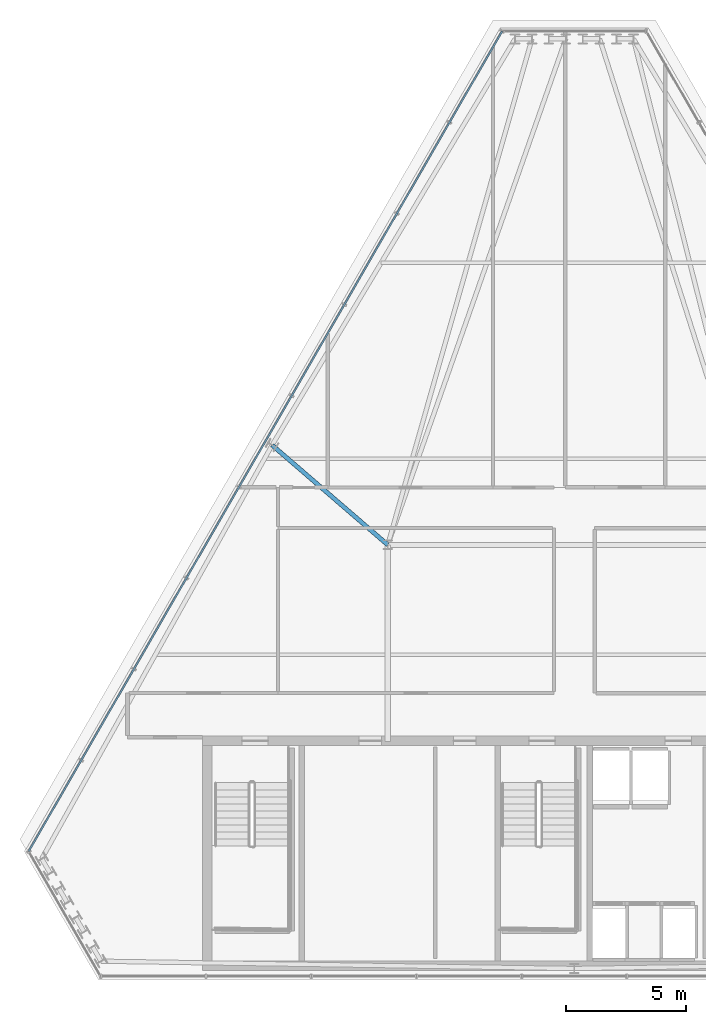
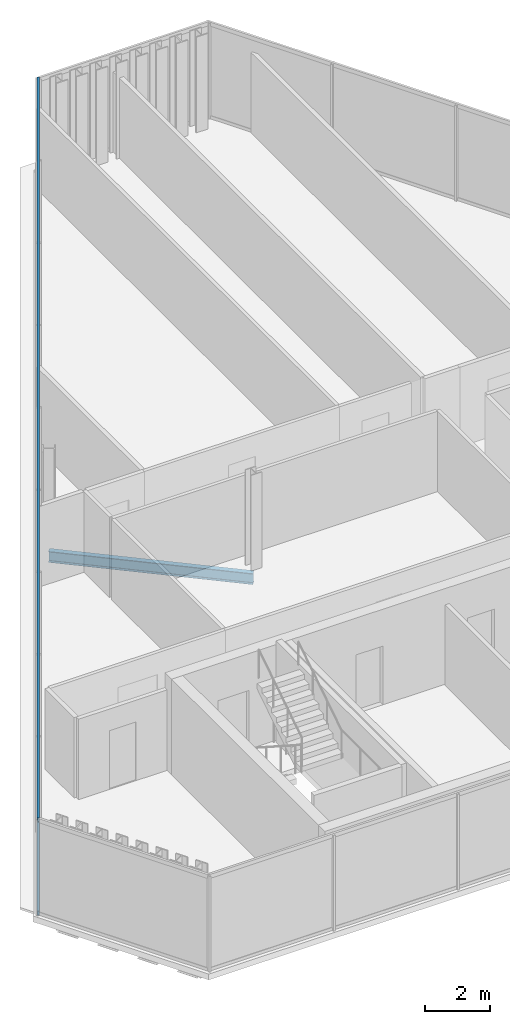
# One storey, part 12 of 32: 2 members, 1 beam, 1 element without a shape of its own.
"""IFC4 building model written with IfcOpenShell, lengths in metres."""

import ifcopenshell
import ifcopenshell.guid

model = None  # the IFC model being written
_history = None  # IfcOwnerHistory: only IFC2X3 demands one
_inside = {}  # id of a spatial element -> (the spatial element, [elements in it])
_under = {}  # id of a project, library or spatial element -> (it, [spatial elements below it])
_declared = {}  # id of a project -> (the project, [libraries it declares])
_typed = {}  # id of a type object -> (the type object, [elements of that type])
_made_of = {}  # id of a material, layer set ... -> (it, [elements and type objects made of it])


def new_model(schema):
    """Start an empty IFC model of exactly this schema.

    Asked for "IFC4X3", IfcOpenShell would pick the latest addendum, in which some entities
    have other attributes; the version numbers below select the first issue.
    IFC2X3 requires an IfcOwnerHistory on every rooted entity: one is made here for all.
    """
    global model, _history
    if schema == "IFC4X3":
        model = ifcopenshell.file(schema_version=(4, 3, 0, 0))
    else:
        model = ifcopenshell.file(schema=schema)
    _inside.clear()
    _under.clear()
    _declared.clear()
    _typed.clear()
    _made_of.clear()
    _history = None
    if model.schema == "IFC2X3":
        org = make("IfcOrganization", Name="unknown")
        user = make(
            "IfcPersonAndOrganization",
            ThePerson=make("IfcPerson", FamilyName="unknown"),
            TheOrganization=org,
        )
        app = make(
            "IfcApplication",
            ApplicationDeveloper=org,
            Version="unknown",
            ApplicationFullName="unknown",
            ApplicationIdentifier="unknown",
        )
        _history = make(
            "IfcOwnerHistory",
            OwningUser=user,
            OwningApplication=app,
            ChangeAction="ADDED",
            CreationDate=0,
        )
    return model


def make(cls, **values):
    """One entity of the class cls with the attributes given. An attribute that is None is left unset."""
    return model.create_entity(
        cls, **{name: value for name, value in values.items() if value is not None}
    )


def rooted(cls, **values):
    """An entity with a GlobalId (a new one), such as an element, a storey or a relation."""
    return make(cls, GlobalId=ifcopenshell.guid.new(), OwnerHistory=_history, **values)


def si_unit(unit_type, name, prefix=None):
    """IfcSIUnit, for example si_unit("LENGTHUNIT", "METRE", prefix="MILLI")."""
    return make("IfcSIUnit", UnitType=unit_type, Prefix=prefix, Name=name)


def assignment(units):
    """IfcUnitAssignment: the units of a project."""
    return None if units is None else make("IfcUnitAssignment", Units=units)


def point(xyz):
    """IfcCartesianPoint."""
    return None if xyz is None else make("IfcCartesianPoint", Coordinates=xyz)


def direction(xyz):
    """IfcDirection."""
    return None if xyz is None else make("IfcDirection", DirectionRatios=xyz)


def frame(location, z_axis=None, x_axis=None):
    """IfcAxis2Placement3D, a coordinate frame: its origin and axes. An axis left out is left unset."""
    return make(
        "IfcAxis2Placement3D",
        Location=point(location),
        Axis=direction(z_axis),
        RefDirection=direction(x_axis),
    )


def frame_2d(location, x_axis=None):
    """IfcAxis2Placement2D, a coordinate frame in the plane: its origin and x axis."""
    return make(
        "IfcAxis2Placement2D", Location=point(location), RefDirection=direction(x_axis)
    )


def origin():
    """The frame at (0, 0, 0) with its axes left unset."""
    return frame((0.0, 0.0, 0.0))


def origin_2d():
    """The frame at (0, 0) in the plane with its x axis left unset."""
    return frame_2d((0.0, 0.0))


def place(relative_to, where):
    """IfcLocalPlacement: puts the frame where relative to a parent placement (None: the world)."""
    return make(
        "IfcLocalPlacement", PlacementRelTo=relative_to, RelativePlacement=where
    )


def context(
    kind, dimensions, precision=None, world=None, true_north=None, identifier=None
):
    """IfcGeometricRepresentationContext, for example the 3D "Model" context."""
    return make(
        "IfcGeometricRepresentationContext",
        ContextIdentifier=identifier,
        ContextType=kind,
        CoordinateSpaceDimension=dimensions,
        Precision=precision,
        WorldCoordinateSystem=world,
        TrueNorth=true_north,
    )


def subcontext(parent, identifier, kind, view, scale=None):
    """IfcGeometricRepresentationSubContext, for example "Body" below "Model"."""
    return make(
        "IfcGeometricRepresentationSubContext",
        ContextIdentifier=identifier,
        ContextType=kind,
        ParentContext=parent,
        TargetScale=scale,
        TargetView=view,
    )


def project(units=None, contexts=None):
    """IfcProject with its units and contexts."""
    return rooted(
        "IfcProject",
        Name="project",
        RepresentationContexts=contexts,
        UnitsInContext=assignment(units),
    )


def spatial(cls, under=None, at=None, **own):
    """A site, building, storey or space (cls), placed at a placement, below another one or the project."""
    s = rooted(cls, ObjectPlacement=at, **own)
    if under is not None:
        _under.setdefault(under.id(), (under, []))[1].append(s)
    return s


def profile(cls, at=None, kind="AREA", **sizes):
    """A parametric profile (cls). Its sizes go by their IFC names, for example OverallWidth=200.0."""
    return make(cls, ProfileType=kind, Position=at, **sizes)


def hollow_rectangle(**sizes):
    """IfcRectangleHollowProfileDef."""
    return profile("IfcRectangleHollowProfileDef", **sizes)


def i_section(**sizes):
    """IfcIShapeProfileDef."""
    return profile("IfcIShapeProfileDef", **sizes)


def extrude(swept, where, along, depth):
    """IfcExtrudedAreaSolid: the profile swept, set in the frame where, extruded along a direction by depth."""
    return make(
        "IfcExtrudedAreaSolid",
        SweptArea=swept,
        Position=where,
        ExtrudedDirection=direction(along),
        Depth=depth,
    )


def shape(context_of_items, identifier, shape_type, items):
    """IfcShapeRepresentation: the items that make up one representation, for example the "Body"."""
    return make(
        "IfcShapeRepresentation",
        ContextOfItems=context_of_items,
        RepresentationIdentifier=identifier,
        RepresentationType=shape_type,
        Items=items,
    )


def material(Name=None, Category=None):
    """IfcMaterial."""
    return make("IfcMaterial", Name=Name, Category=Category)


def layer(
    of_material, thickness, ventilated=None, Name=None, Category=None, Priority=None
):
    """IfcMaterialLayer: one layer of a wall or slab, of a material (None: an air gap)."""
    return make(
        "IfcMaterialLayer",
        Material=of_material,
        LayerThickness=thickness,
        IsVentilated=ventilated,
        Name=Name,
        Category=Category,
        Priority=Priority,
    )


def layer_set(layers, Name=None):
    """IfcMaterialLayerSet."""
    return make("IfcMaterialLayerSet", MaterialLayers=layers, LayerSetName=Name)


def material_profile(
    of_material, cross_section, Name=None, Category=None, Priority=None
):
    """IfcMaterialProfile: a cross section and its material."""
    return make(
        "IfcMaterialProfile",
        Name=Name,
        Material=of_material,
        Profile=cross_section,
        Priority=Priority,
        Category=Category,
    )


def profile_set(profiles, Name=None, composite=None):
    """IfcMaterialProfileSet."""
    return make(
        "IfcMaterialProfileSet",
        Name=Name,
        MaterialProfiles=profiles,
        CompositeProfile=composite,
    )


def made_of(thing, what):
    """Note that an element or type object is made of a material, layer set ...; save() writes the relation."""
    if what is not None:
        _made_of.setdefault(what.id(), (what, []))[1].append(thing)
    return thing


def type_object(cls, material=None, **own):
    """A type object (cls), such as IfcWallType, which elements share."""
    return made_of(rooted(cls, **own), material)


def element(
    cls,
    number,
    at=None,
    inside=None,
    cuts=None,
    type_object=None,
    material=None,
    context=None,
    identifier="Body",
    shape_type=None,
    held_by="IfcProductDefinitionShape",
    body=None,
    shapes=None,
    **own,
):
    """One element of the class cls, such as IfcWall. Its Tag is "e" and its number.

    at: its placement. inside: the storey or other place that contains it. cuts: it is an
    opening in that element (IfcRelVoidsElement). A single representation is given by context,
    identifier, shape_type and body (its items); several are given by shapes. held_by: the class
    of the entity that holds the representations. save() writes the other relations.
    """
    e = rooted(cls, Tag="e%d" % number, ObjectPlacement=at, **own)
    if body is not None:
        shapes = [shape(context, identifier, shape_type, body)]
    if shapes is not None:
        e.Representation = make(held_by, Representations=shapes)
    if inside is not None:
        _inside.setdefault(inside.id(), (inside, []))[1].append(e)
    if cuts is not None:
        rooted(
            "IfcRelVoidsElement", RelatingBuildingElement=cuts, RelatedOpeningElement=e
        )
    if type_object is not None:
        _typed.setdefault(type_object.id(), (type_object, []))[1].append(e)
    return made_of(e, material)


def aggregate(whole, parts):
    """IfcRelAggregates: a whole, such as a stair, and the parts it consists of."""
    return rooted("IfcRelAggregates", RelatingObject=whole, RelatedObjects=parts)


def save(model, path):
    """Write the relations noted so far, then the file.

    IfcRelAggregates (storeys below a building ...), IfcRelContainedInSpatialStructure (elements
    in a storey), IfcRelDefinesByType, IfcRelAssociatesMaterial and IfcRelDeclares: one each for
    every whole, place, type object, material and project.
    """
    for whole, parts in _under.values():
        aggregate(whole, parts)
    for where, things in _inside.values():
        rooted(
            "IfcRelContainedInSpatialStructure",
            RelatedElements=things,
            RelatingStructure=where,
        )
    for kind, things in _typed.values():
        rooted("IfcRelDefinesByType", RelatedObjects=things, RelatingType=kind)
    for what, things in _made_of.values():
        rooted("IfcRelAssociatesMaterial", RelatedObjects=things, RelatingMaterial=what)
    for by, libraries in _declared.values():
        rooted("IfcRelDeclares", RelatingContext=by, RelatedDefinitions=libraries)
    model.write(path)


model = new_model("IFC4")

# Units and contexts
model_context = context("Model", 3, precision=1e-05, world=origin(), true_north=direction((0.0, 1.0)))
body_context = subcontext(model_context, "Body", "Model", "MODEL_VIEW")
ifc_project = project(units=[si_unit("LENGTHUNIT", "METRE"), si_unit("AREAUNIT", "SQUARE_METRE"), si_unit("VOLUMEUNIT", "CUBIC_METRE"), si_unit("PLANEANGLEUNIT", "RADIAN"), si_unit("MASSUNIT", "GRAM", prefix="KILO")], contexts=[model_context])

# Site, building, storey
site_placement = place(None, origin())
site = spatial("IfcSite", under=ifc_project, at=site_placement, CompositionType="ELEMENT")
building_placement = place(site_placement, origin())
building = spatial("IfcBuilding", under=site, at=building_placement, Name="Ndaravel Arena Tower", CompositionType="ELEMENT")
storey_placement = place(building_placement, frame((0.0, 0.0, 252.199951171875)))
storey = spatial("IfcBuildingStorey", under=building, at=storey_placement, Name="L61", CompositionType="ELEMENT", Elevation=252.199951171875)

# Beam
ifc_material_1 = material(Name="Steel S355", Category="steel")
ifc_material_profile_1 = material_profile(ifc_material_1, i_section(OverallWidth=0.1787109375, OverallDepth=0.409423828125, WebThickness=0.0087890625, FlangeThickness=0.014404296875, FilletRadius=0.01025390625, at=origin_2d()), Name="UB 406x178x67")
ifc_profile_set_1 = profile_set([ifc_material_profile_1], Name="Steel S355")
beam_type = type_object("IfcBeamType", Name="BM-GIRD-UB406", PredefinedType="BEAM", material=ifc_profile_set_1)
beam_placement = place(storey_placement, frame((29.362060546875, 27.36962890625, -0.424560546875), z_axis=(0.757481011077, -0.652857195609, 0.0), x_axis=(0.652857195609, 0.757481011077, 0.0)))
element("IfcBeam", 1, at=beam_placement, inside=storey, type_object=beam_type, Name="L61 Radial Floor Girder FG-19", PredefinedType="BEAM", context=body_context, shape_type="SweptSolid", body=[
    extrude(i_section(OverallWidth=0.1787109375, OverallDepth=0.409423828125, WebThickness=0.0087890625, FlangeThickness=0.014404296875, FilletRadius=0.01025390625, at=origin_2d()), origin(), (0.0, 0.0, 1.0), 6.38671875),
])

# Curtain wall, members
ifc_material_2 = material(Name="Aluminium", Category="aluminium")
ifc_layer = layer(ifc_material_2, 0.179931640625)
ifc_layer_set = layer_set([ifc_layer], Name="Aluminium")
curtain_wall_type = type_object("IfcCurtainWallType", Name="CW-SYS-03", PredefinedType="NOTDEFINED", material=ifc_layer_set)
curtain_wall_placement = place(storey_placement, origin())
curtain_wall = element("IfcCurtainWall", 2, at=curtain_wall_placement, inside=storey, type_object=curtain_wall_type, Name="L61 Faceted Crystal Curtain Wall CW-L61-E05", PredefinedType="NOTDEFINED")
ifc_material_3 = material(Name="Aluminium", Category="aluminium")
ifc_material_profile_2 = material_profile(ifc_material_3, hollow_rectangle(XDim=0.074951171875, YDim=0.14990234375, WallThickness=0.00390625, at=origin_2d()), Name="CW TRANSOM 75x150x4")
ifc_profile_set_2 = profile_set([ifc_material_profile_2], Name="Aluminium")
member_type = type_object("IfcMemberType", Name="MEM-CW-TRN150", PredefinedType="USERDEFINED", material=ifc_profile_set_2)
member_1_placement = place(storey_placement, frame((38.986328125, 44.679443359375, 0.0400390625), z_axis=(-0.500002234536, -0.866024113671, 0.0), x_axis=(0.866024113671, -0.500002234536, 0.0)))
member_1 = element("IfcMember", 3, at=member_1_placement, type_object=member_type, Name="CW-L61-E05 Transom 01", ObjectType="TRANSOM", PredefinedType="USERDEFINED", context=body_context, shape_type="SweptSolid", body=[
    extrude(hollow_rectangle(XDim=0.074951171875, YDim=0.14990234375, WallThickness=0.00390625, at=origin_2d()), origin(), (0.0, 0.0, 1.0), 39.605712890625),
])
member_2_placement = place(storey_placement, frame((38.986328125, 44.679443359375, 3.5400390625), z_axis=(-0.500002234536, -0.866024113671, 0.0), x_axis=(0.866024113671, -0.500002234536, 0.0)))
member_2 = element("IfcMember", 4, at=member_2_placement, type_object=member_type, Name="CW-L61-E05 Transom 02", ObjectType="TRANSOM", PredefinedType="USERDEFINED", context=body_context, shape_type="SweptSolid", body=[
    extrude(hollow_rectangle(XDim=0.074951171875, YDim=0.14990234375, WallThickness=0.00390625, at=origin_2d()), origin(), (0.0, 0.0, 1.0), 39.605712890625),
])
aggregate(curtain_wall, [member_1, member_2])

save(model, "model.ifc")
